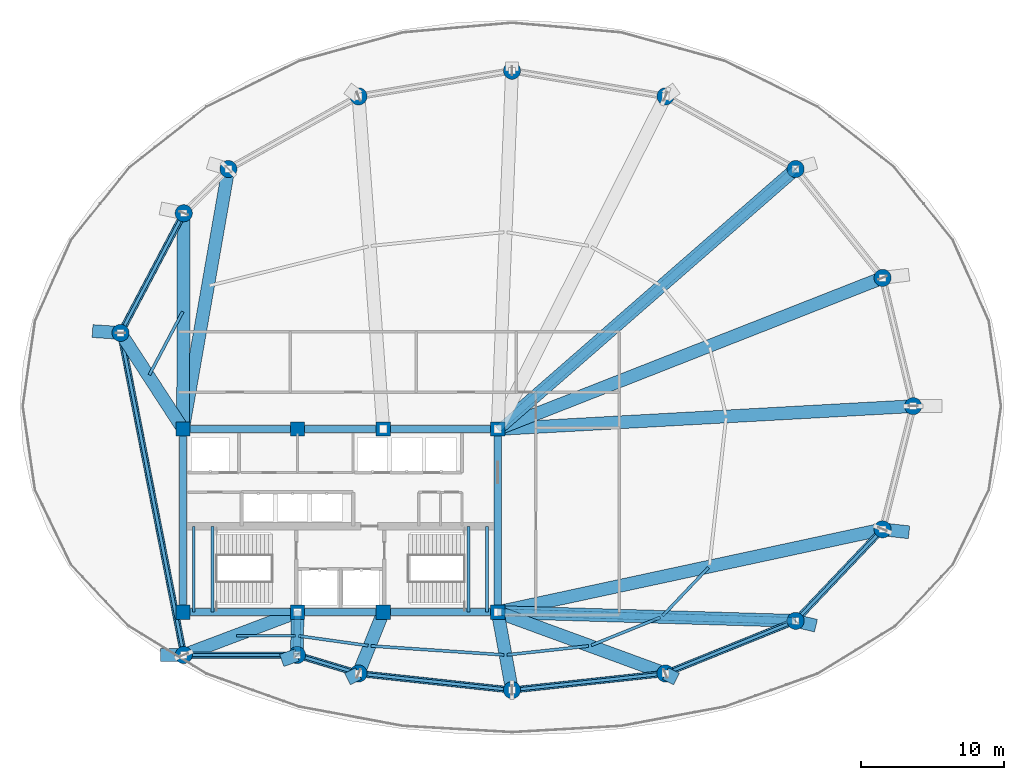
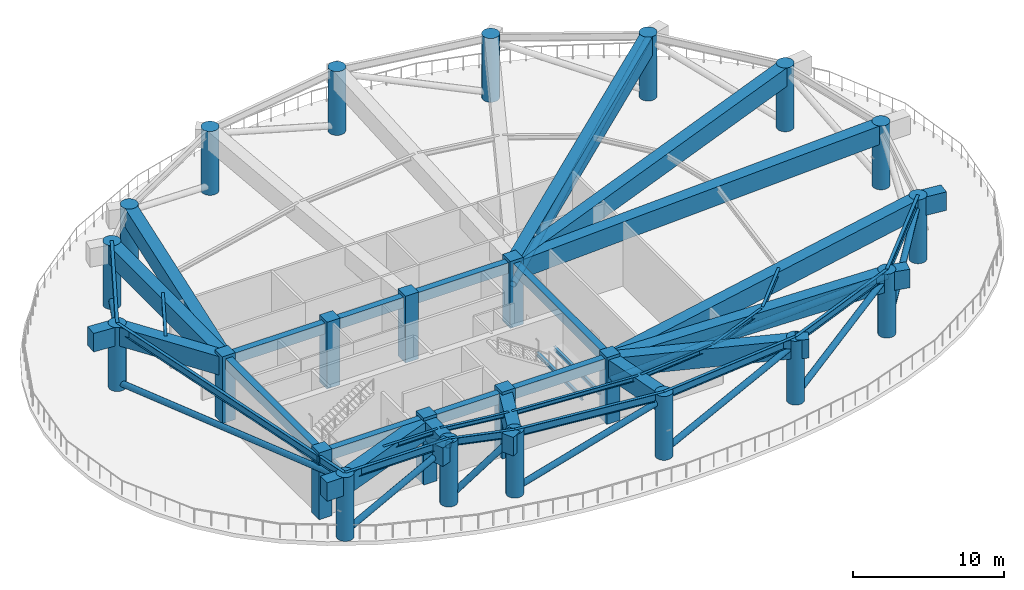
# One storey, part 1 of 9: 47 beams, 24 columns, 11 members.
"""IFC4 building model written with IfcOpenShell, lengths in metres."""

from ifc_helpers import new_model, si_unit, direction, frame, origin, origin_2d, place, context, subcontext, project, spatial, rectangle, circle, hollow_circle, i_section, extrude, material, material_profile, profile_set, type_object, element, save


model = new_model("IFC4")

# Units and contexts
model_context = context("Model", 3, precision=1e-05, world=origin(), true_north=direction((0.0, 1.0)))
body_context = subcontext(model_context, "Body", "Model", "MODEL_VIEW")
ifc_project = project(units=[si_unit("LENGTHUNIT", "METRE"), si_unit("AREAUNIT", "SQUARE_METRE"), si_unit("VOLUMEUNIT", "CUBIC_METRE"), si_unit("PLANEANGLEUNIT", "RADIAN"), si_unit("MASSUNIT", "GRAM", prefix="KILO")], contexts=[model_context])

# Site, building, storey
site_placement = place(None, origin())
site = spatial("IfcSite", under=ifc_project, at=site_placement, CompositionType="ELEMENT")
building_placement = place(site_placement, origin())
building = spatial("IfcBuilding", under=site, at=building_placement, Name="Kazevale Care Tower and Concert Hall", CompositionType="ELEMENT")
storey_placement = place(building_placement, frame((0.0, 0.0, 181.800048828125)))
storey = spatial("IfcBuildingStorey", under=building, at=storey_placement, Name="L48", CompositionType="ELEMENT", Elevation=181.800048828125)

# Columns
ifc_material_1 = material(Name="Concrete C60", Category="concrete")
ifc_material_profile_1 = material_profile(ifc_material_1, rectangle(XDim=1.0, YDim=1.0, at=origin_2d()), Name="RC-SQ1000")
ifc_profile_set_1 = profile_set([ifc_material_profile_1], Name="Concrete C60")
column_type_1 = type_object("IfcColumnType", Name="Core Column SQ1000 C60", PredefinedType="COLUMN", material=ifc_profile_set_1)
for number, where, z_axis, x_axis, name in (
    (1, (22.0, 23.60009765625, 0.0), (0.0, 0.0, 1.0), (1.0, 0.0, 0.0), "col:L48:CC-01"),
    (2, (30.0, 23.60009765625, 0.0), (0.0, 0.0, 1.0), (1.0, 0.0, 0.0), "col:L48:CC-02"),
    (3, (36.0, 23.60009765625, 0.0), (0.0, 0.0, 1.0), (1.0, 0.0, 0.0), "col:L48:CC-03"),
    (4, (44.0, 23.60009765625, 0.0), (0.0, 0.0, 1.0), (1.0, 0.0, 0.0), "col:L48:CC-04"),
    (5, (44.0, 36.39990234375, 0.0), (0.0, 0.0, 1.0), (1.0, 0.0, 0.0), "col:L48:CC-05"),
    (6, (36.0, 36.39990234375, 0.0), (0.0, 0.0, 1.0), (1.0, 0.0, 0.0), "col:L48:CC-06"),
    (7, (30.0, 36.39990234375, 0.0), (0.0, 0.0, 1.0), (1.0, 0.0, 0.0), "col:L48:CC-07"),
    (8, (22.0, 36.39990234375, 0.0), (0.0, 0.0, 1.0), (1.0, 0.0, 0.0), "col:L48:CC-08"),
):
    element("IfcColumn", number, at=place(storey_placement, frame(where, z_axis=z_axis, x_axis=x_axis)), inside=storey, type_object=column_type_1, Name=name, PredefinedType="COLUMN", context=body_context, shape_type="SweptSolid", body=[
        extrude(rectangle(XDim=1.0, YDim=1.0, at=origin_2d()), origin(), (0.0, 0.0, 1.0), 5.39990234375),
    ])
ifc_material_profile_2 = material_profile(ifc_material_1, circle(Radius=0.60009765625, at=origin_2d()), Name="RC-CIR1200")
ifc_profile_set_2 = profile_set([ifc_material_profile_2], Name="Concrete C60")
column_type_2 = type_object("IfcColumnType", Name="Perimeter Column CIR1200 C60", PredefinedType="COLUMN", material=ifc_profile_set_2)
for number, where, z_axis, x_axis, name in (
    (9, (73.050048828125, 38.0, 0.0), (0.0, 0.0, 1.0), (1.0, 0.0, 0.0), "col:L48:PC-01"),
    (10, (70.909912109375, 46.969970703125, 0.0), (0.0, 0.0, 1.0), (1.0, 0.0, 0.0), "col:L48:PC-02"),
    (11, (64.830078125, 54.580078125, 0.0), (0.0, 0.0, 1.0), (1.0, 0.0, 0.0), "col:L48:PC-03"),
    (12, (55.72998046875, 59.659912109375, 0.0), (0.0, 0.0, 1.0), (1.0, 0.0, 0.0), "col:L48:PC-04"),
    (13, (45.0, 61.449951171875, 0.0), (0.0, 0.0, 1.0), (1.0, 0.0, 0.0), "col:L48:PC-05"),
    (14, (34.27001953125, 59.659912109375, 0.0), (0.0, 0.0, 1.0), (1.0, 0.0, 0.0), "col:L48:PC-06"),
    (15, (25.169921875, 54.580078125, 0.0), (0.0, 0.0, 1.0), (1.0, 0.0, 0.0), "col:L48:PC-07"),
    (16, (22.050048828125, 51.489990234375, 0.0), (0.0, 0.0, 1.0), (1.0, 0.0, 0.0), "col:L48:PC-08"),
    (17, (17.6298828125, 43.1201171875, 0.0), (0.0, 0.0, 1.0), (1.0, 0.0, 0.0), "col:L48:PC-09"),
    (18, (22.050048828125, 20.60009765625, 0.0), (0.0, 0.0, 1.0), (1.0, 0.0, 0.0), "col:L48:PC-10"),
    (19, (29.969970703125, 20.60009765625, 0.0), (0.0, 0.0, 1.0), (1.0, 0.0, 0.0), "col:L48:PC-11"),
    (20, (34.27001953125, 19.31005859375, 0.0), (0.0, 0.0, 1.0), (1.0, 0.0, 0.0), "col:L48:PC-12"),
    (21, (45.0, 18.14990234375, 0.0), (0.0, 0.0, 1.0), (1.0, 0.0, 0.0), "col:L48:PC-13"),
    (22, (55.72998046875, 19.31005859375, 0.0), (0.0, 0.0, 1.0), (1.0, 0.0, 0.0), "col:L48:PC-14"),
    (23, (64.830078125, 22.989990234375, 0.0), (0.0, 0.0, 1.0), (1.0, 0.0, 0.0), "col:L48:PC-15"),
    (24, (70.909912109375, 29.389892578125, 0.0), (0.0, 0.0, 1.0), (1.0, 0.0, 0.0), "col:L48:PC-16"),
):
    element("IfcColumn", number, at=place(storey_placement, frame(where, z_axis=z_axis, x_axis=x_axis)), inside=storey, type_object=column_type_2, Name=name, PredefinedType="COLUMN", context=body_context, shape_type="SweptSolid", body=[
        extrude(circle(Radius=0.60009765625, at=origin_2d()), origin(), (0.0, 0.0, 1.0), 5.159912109375),
    ])

# Members
ifc_material_2 = material(Name="Steel ASTM A572 Gr 50", Category="steel")
ifc_material_profile_3 = material_profile(ifc_material_2, hollow_circle(Radius=0.228515625, WallThickness=0.028076171875, at=origin_2d()), Name="CHS457x28")
ifc_profile_set_3 = profile_set([ifc_material_profile_3], Name="Steel ASTM A572 Gr 50")
member_type_1 = type_object("IfcMemberType", Name="Belt Truss Diagonal CHS457x28", PredefinedType="BRACE", material=ifc_profile_set_3)
member_1_placement = place(storey_placement, frame((22.050048828125, 51.489990234375, 0.39990234375), z_axis=(-0.426683163195, -0.807952437658, 0.406391851208), x_axis=(0.884265533959, -0.466984438127, 0.0)))
element("IfcMember", 25, at=member_1_placement, inside=storey, type_object=member_type_1, Name="brace:L48:belt:08", PredefinedType="BRACE", context=body_context, shape_type="SweptSolid", body=[
    extrude(hollow_circle(Radius=0.228515625, WallThickness=0.028076171875, at=origin_2d()), origin(), (0.0, 0.0, 1.0), 10.359375),
])
member_2_placement = place(storey_placement, frame((17.6298828125, 43.1201171875, 0.39990234375), z_axis=(0.189441171259, -0.965171638733, 0.180432121358), x_axis=(0.9812769061, 0.192602267784, 0.0)))
element("IfcMember", 26, at=member_2_placement, inside=storey, type_object=member_type_1, Name="brace:L48:belt:09", PredefinedType="BRACE", context=body_context, shape_type="SweptSolid", body=[
    extrude(hollow_circle(Radius=0.228515625, WallThickness=0.028076171875, at=origin_2d()), origin(), (0.0, 0.0, 1.0), 23.332763671875),
])
member_3_placement = place(storey_placement, frame((22.050048828125, 20.60009765625, 0.39990234375), z_axis=(0.883000097945, 0.0, 0.469372801756), x_axis=(0.0, 1.0, 0.0)))
element("IfcMember", 27, at=member_3_placement, inside=storey, type_object=member_type_1, Name="brace:L48:belt:10", PredefinedType="BRACE", context=body_context, shape_type="SweptSolid", body=[
    extrude(hollow_circle(Radius=0.228515625, WallThickness=0.028076171875, at=origin_2d()), origin(), (0.0, 0.0, 1.0), 8.96923828125),
])
member_4_placement = place(storey_placement, frame((29.969970703125, 20.60009765625, 0.39990234375), z_axis=(0.698678889279, -0.20960763362, 0.684041263086), x_axis=(0.287352874709, 0.957824788464, 0.0)))
element("IfcMember", 28, at=member_4_placement, inside=storey, type_object=member_type_1, Name="brace:L48:belt:11", PredefinedType="BRACE", context=body_context, shape_type="SweptSolid", body=[
    extrude(hollow_circle(Radius=0.228515625, WallThickness=0.028076171875, at=origin_2d()), origin(), (0.0, 0.0, 1.0), 6.154541015625),
])
for number, where, z_axis, x_axis, name in (
    (29, (34.27001953125, 19.31005859375, 0.39990234375), (0.926230526629, -0.100146699944, 0.363411130858), (0.107496346724, 0.994205479487, 0.0), "brace:L48:belt:12"),
    (30, (45.0, 18.14990234375, 0.39990234375), (0.926230526629, 0.100146699944, 0.363411130858), (-0.107496346724, 0.994205479487, 0.0), "brace:L48:belt:13"),
):
    element("IfcMember", number, at=place(storey_placement, frame(where, z_axis=z_axis, x_axis=x_axis)), inside=storey, type_object=member_type_1, Name=name, PredefinedType="BRACE", context=body_context, shape_type="SweptSolid", body=[
        extrude(hollow_circle(Radius=0.228515625, WallThickness=0.028076171875, at=origin_2d()), origin(), (0.0, 0.0, 1.0), 11.58447265625),
    ])
member_5_placement = place(storey_placement, frame((55.72998046875, 19.31005859375, 0.39990234375), z_axis=(0.852012878682, 0.344540165273, 0.394165103826), x_axis=(-0.374891515041, 0.927068687828, 0.0)))
element("IfcMember", 31, at=member_5_placement, inside=storey, type_object=member_type_1, Name="brace:L48:belt:14", PredefinedType="BRACE", context=body_context, shape_type="SweptSolid", body=[
    extrude(hollow_circle(Radius=0.228515625, WallThickness=0.028076171875, at=origin_2d()), origin(), (0.0, 0.0, 1.0), 10.6806640625),
])
member_6_placement = place(storey_placement, frame((64.830078125, 22.989990234375, 0.39990234375), z_axis=(0.621664783489, 0.654391865815, 0.430469723587), x_axis=(-0.725003576697, 0.688745100728, 0.0)))
element("IfcMember", 32, at=member_6_placement, inside=storey, type_object=member_type_1, Name="brace:L48:belt:15", PredefinedType="BRACE", context=body_context, shape_type="SweptSolid", body=[
    extrude(hollow_circle(Radius=0.228515625, WallThickness=0.028076171875, at=origin_2d()), origin(), (0.0, 0.0, 1.0), 9.780029296875),
])

# Beams
ifc_material_profile_4 = material_profile(ifc_material_1, rectangle(XDim=0.5, YDim=0.85009765625, at=origin_2d()), Name="RC-B500x850")
ifc_profile_set_4 = profile_set([ifc_material_profile_4], Name="Concrete C60")
beam_type_1 = type_object("IfcBeamType", Name="Core Coupling Beam RC500x850", PredefinedType="LINTEL", material=ifc_profile_set_4)
beam_1_placement = place(storey_placement, frame((22.0, 23.60009765625, 4.73486328125), z_axis=(1.0, 0.0, 0.0), x_axis=(0.0, 1.0, 0.0)))
element("IfcBeam", 33, at=beam_1_placement, inside=storey, type_object=beam_type_1, Name="beam:L48:coretie:1", PredefinedType="LINTEL", context=body_context, shape_type="SweptSolid", body=[
    extrude(rectangle(XDim=0.5, YDim=0.85009765625, at=origin_2d()), origin(), (0.0, 0.0, 1.0), 8.0),
])
beam_2_placement = place(storey_placement, frame((30.0, 23.60009765625, 4.73486328125), z_axis=(1.0, 0.0, 0.0), x_axis=(0.0, 1.0, 0.0)))
element("IfcBeam", 34, at=beam_2_placement, inside=storey, type_object=beam_type_1, Name="beam:L48:coretie:2", PredefinedType="LINTEL", context=body_context, shape_type="SweptSolid", body=[
    extrude(rectangle(XDim=0.5, YDim=0.85009765625, at=origin_2d()), origin(), (0.0, 0.0, 1.0), 6.0),
])
beam_3_placement = place(storey_placement, frame((36.0, 23.60009765625, 4.73486328125), z_axis=(1.0, 0.0, 0.0), x_axis=(0.0, 1.0, 0.0)))
element("IfcBeam", 35, at=beam_3_placement, inside=storey, type_object=beam_type_1, Name="beam:L48:coretie:3", PredefinedType="LINTEL", context=body_context, shape_type="SweptSolid", body=[
    extrude(rectangle(XDim=0.5, YDim=0.85009765625, at=origin_2d()), origin(), (0.0, 0.0, 1.0), 8.0),
])
beam_4_placement = place(storey_placement, frame((44.0, 23.60009765625, 4.73486328125), z_axis=(0.0, 1.0, 0.0), x_axis=(-1.0, 0.0, 0.0)))
element("IfcBeam", 36, at=beam_4_placement, inside=storey, type_object=beam_type_1, Name="beam:L48:coretie:4", PredefinedType="LINTEL", context=body_context, shape_type="SweptSolid", body=[
    extrude(rectangle(XDim=0.5, YDim=0.85009765625, at=origin_2d()), origin(), (0.0, 0.0, 1.0), 12.7998046875),
])
beam_5_placement = place(storey_placement, frame((44.0, 36.39990234375, 4.73486328125), z_axis=(-1.0, 0.0, 0.0), x_axis=(0.0, -1.0, 0.0)))
element("IfcBeam", 37, at=beam_5_placement, inside=storey, type_object=beam_type_1, Name="beam:L48:coretie:5", PredefinedType="LINTEL", context=body_context, shape_type="SweptSolid", body=[
    extrude(rectangle(XDim=0.5, YDim=0.85009765625, at=origin_2d()), origin(), (0.0, 0.0, 1.0), 8.0),
])
beam_6_placement = place(storey_placement, frame((36.0, 36.39990234375, 4.73486328125), z_axis=(-1.0, 0.0, 0.0), x_axis=(0.0, -1.0, 0.0)))
element("IfcBeam", 38, at=beam_6_placement, inside=storey, type_object=beam_type_1, Name="beam:L48:coretie:6", PredefinedType="LINTEL", context=body_context, shape_type="SweptSolid", body=[
    extrude(rectangle(XDim=0.5, YDim=0.85009765625, at=origin_2d()), origin(), (0.0, 0.0, 1.0), 6.0),
])
beam_7_placement = place(storey_placement, frame((30.0, 36.39990234375, 4.73486328125), z_axis=(-1.0, 0.0, 0.0), x_axis=(0.0, -1.0, 0.0)))
element("IfcBeam", 39, at=beam_7_placement, inside=storey, type_object=beam_type_1, Name="beam:L48:coretie:7", PredefinedType="LINTEL", context=body_context, shape_type="SweptSolid", body=[
    extrude(rectangle(XDim=0.5, YDim=0.85009765625, at=origin_2d()), origin(), (0.0, 0.0, 1.0), 8.0),
])
beam_8_placement = place(storey_placement, frame((22.0, 36.39990234375, 4.73486328125), z_axis=(0.0, -1.0, 0.0), x_axis=(1.0, 0.0, 0.0)))
element("IfcBeam", 40, at=beam_8_placement, inside=storey, type_object=beam_type_1, Name="beam:L48:coretie:8", PredefinedType="LINTEL", context=body_context, shape_type="SweptSolid", body=[
    extrude(rectangle(XDim=0.5, YDim=0.85009765625, at=origin_2d()), origin(), (0.0, 0.0, 1.0), 12.7998046875),
])

# Members
ifc_material_profile_5 = material_profile(ifc_material_2, hollow_circle(Radius=0.25390625, WallThickness=0.031982421875, at=origin_2d()), Name="CHS508x32")
ifc_profile_set_5 = profile_set([ifc_material_profile_5], Name="Steel ASTM A572 Gr 50")
member_type_2 = type_object("IfcMemberType", Name="Outrigger Diagonal CHS508x32", PredefinedType="BRACE", material=ifc_profile_set_5)
member_7_placement = place(storey_placement, frame((44.0, 36.39990234375, 3.099853515625), z_axis=(0.752282042081, 0.656580339259, 0.054534276023), x_axis=(-0.657558853149, 0.753403181998, 0.0)))
element("IfcMember", 41, at=member_7_placement, inside=storey, type_object=member_type_2, Name="brace:L48:outrig:1", PredefinedType="BRACE", context=body_context, shape_type="SweptSolid", body=[
    extrude(hollow_circle(Radius=0.25390625, WallThickness=0.031982421875, at=origin_2d()), origin(), (0.0, 0.0, 1.0), 27.689208984375),
])
member_8_placement = place(storey_placement, frame((30.0, 23.60009765625, 3.099853515625), z_axis=(-0.008940684348, -0.893196172879, 0.449578314555), x_axis=(0.99994990606, -0.010009264196, 0.0)))
element("IfcMember", 42, at=member_8_placement, inside=storey, type_object=member_type_2, Name="brace:L48:outrig:3", PredefinedType="BRACE", context=body_context, shape_type="SweptSolid", body=[
    extrude(hollow_circle(Radius=0.25390625, WallThickness=0.031982421875, at=origin_2d()), origin(), (0.0, 0.0, 1.0), 3.358642578125),
])
member_9_placement = place(storey_placement, frame((44.0, 23.60009765625, 3.099853515625), z_axis=(0.996957467612, -0.02920061781, 0.072271236957), x_axis=(0.029277177187, 0.99957133157, 0.0)))
element("IfcMember", 43, at=member_9_placement, inside=storey, type_object=member_type_2, Name="brace:L48:outrig:4", PredefinedType="BRACE", context=body_context, shape_type="SweptSolid", body=[
    extrude(hollow_circle(Radius=0.25390625, WallThickness=0.031982421875, at=origin_2d()), origin(), (0.0, 0.0, 1.0), 20.8935546875),
])

# Beams
ifc_material_profile_6 = material_profile(ifc_material_1, rectangle(XDim=0.89990234375, YDim=1.5, at=origin_2d()), Name="RC-TG900x1500")
ifc_profile_set_6 = profile_set([ifc_material_profile_6], Name="Concrete C60")
beam_type_2 = type_object("IfcBeamType", Name="Podium Transfer Girder RC900x1500", PredefinedType="BEAM", material=ifc_profile_set_6)
beam_9_placement = place(storey_placement, frame((44.0, 36.39990234375, 4.409912109375), z_axis=(0.998486500016, 0.054997357076, 0.0), x_axis=(-0.054997357076, 0.998486500016, 0.0)))
element("IfcBeam", 44, at=beam_9_placement, inside=storey, type_object=beam_type_2, Name="beam:L48:ztg_in:01", PredefinedType="BEAM", context=body_context, shape_type="SweptSolid", body=[
    extrude(rectangle(XDim=0.89990234375, YDim=1.5, at=origin_2d()), origin(), (0.0, 0.0, 1.0), 29.093994140625),
])
beam_10_placement = place(storey_placement, frame((44.0, 36.39990234375, 4.409912109375), z_axis=(0.930771301513, 0.36560194786, 0.0), x_axis=(-0.36560194786, 0.930771301513, 0.0)))
element("IfcBeam", 45, at=beam_10_placement, inside=storey, type_object=beam_type_2, Name="beam:L48:ztg_in:02", PredefinedType="BEAM", context=body_context, shape_type="SweptSolid", body=[
    extrude(rectangle(XDim=0.89990234375, YDim=1.5, at=origin_2d()), origin(), (0.0, 0.0, 1.0), 28.911376953125),
])
beam_11_placement = place(storey_placement, frame((44.0, 36.39990234375, 4.409912109375), z_axis=(0.753403181998, 0.657558853149, 0.0), x_axis=(-0.657558853149, 0.753403181998, 0.0)))
element("IfcBeam", 46, at=beam_11_placement, inside=storey, type_object=beam_type_2, Name="beam:L48:ztg_in:03", PredefinedType="BEAM", context=body_context, shape_type="SweptSolid", body=[
    extrude(rectangle(XDim=0.89990234375, YDim=1.5, at=origin_2d()), origin(), (0.0, 0.0, 1.0), 27.64794921875),
])
beam_12_placement = place(storey_placement, frame((22.0, 36.39990234375, 4.409912109375), z_axis=(0.171769935245, 0.985137091651, 0.0), x_axis=(-0.985137091651, 0.171769935245, 0.0)))
element("IfcBeam", 47, at=beam_12_placement, inside=storey, type_object=beam_type_2, Name="beam:L48:ztg_in:07", PredefinedType="BEAM", context=body_context, shape_type="SweptSolid", body=[
    extrude(rectangle(XDim=0.89990234375, YDim=1.5, at=origin_2d()), origin(), (0.0, 0.0, 1.0), 18.454345703125),
])
beam_13_placement = place(storey_placement, frame((22.0, 36.39990234375, 4.409912109375), z_axis=(0.003316650851, 0.999994499898, 0.0), x_axis=(-0.999994499898, 0.003316650851, 0.0)))
element("IfcBeam", 48, at=beam_13_placement, inside=storey, type_object=beam_type_2, Name="beam:L48:ztg_in:08", PredefinedType="BEAM", context=body_context, shape_type="SweptSolid", body=[
    extrude(rectangle(XDim=0.89990234375, YDim=1.5, at=origin_2d()), origin(), (0.0, 0.0, 1.0), 15.090087890625),
])
beam_14_placement = place(storey_placement, frame((22.0, 36.39990234375, 4.409912109375), z_axis=(-0.5451617613, 0.83833087383, 0.0), x_axis=(-0.83833087383, -0.5451617613, 0.0)))
element("IfcBeam", 49, at=beam_14_placement, inside=storey, type_object=beam_type_2, Name="beam:L48:ztg_in:09", PredefinedType="BEAM", context=body_context, shape_type="SweptSolid", body=[
    extrude(rectangle(XDim=0.89990234375, YDim=1.5, at=origin_2d()), origin(), (0.0, 0.0, 1.0), 8.01611328125),
])
beam_15_placement = place(storey_placement, frame((17.6298828125, 43.1201171875, 4.409912109375), z_axis=(-0.997811477462, 0.066123032637, 0.0), x_axis=(-0.066123032637, -0.997811477462, 0.0)))
element("IfcBeam", 50, at=beam_15_placement, inside=storey, type_object=beam_type_2, Name="beam:L48:ztg_out:09", PredefinedType="BEAM", context=body_context, shape_type="SweptSolid", body=[
    extrude(rectangle(XDim=0.89990234375, YDim=1.5, at=origin_2d()), origin(), (0.0, 0.0, 1.0), 1.96435546875),
])
beam_16_placement = place(storey_placement, frame((30.0, 23.60009765625, 4.409912109375), z_axis=(-0.935601002663, -0.353059150592, 0.0), x_axis=(0.353059150592, -0.935601002663, 0.0)))
element("IfcBeam", 51, at=beam_16_placement, inside=storey, type_object=beam_type_2, Name="beam:L48:ztg_in:10", PredefinedType="BEAM", context=body_context, shape_type="SweptSolid", body=[
    extrude(rectangle(XDim=0.89990234375, YDim=1.5, at=origin_2d()), origin(), (0.0, 0.0, 1.0), 8.4970703125),
])
beam_17_placement = place(storey_placement, frame((22.050048828125, 20.60009765625, 4.409912109375), z_axis=(-1.0, 0.0, 0.0), x_axis=(0.0, -1.0, 0.0)))
element("IfcBeam", 52, at=beam_17_placement, inside=storey, type_object=beam_type_2, Name="beam:L48:ztg_out:10", PredefinedType="BEAM", context=body_context, shape_type="SweptSolid", body=[
    extrude(rectangle(XDim=0.89990234375, YDim=1.5, at=origin_2d()), origin(), (0.0, 0.0, 1.0), 1.630126953125),
])
beam_18_placement = place(storey_placement, frame((30.0, 23.60009765625, 4.409912109375), z_axis=(-0.010009264196, -0.99994990606, 0.0), x_axis=(0.99994990606, -0.010009264196, 0.0)))
element("IfcBeam", 53, at=beam_18_placement, inside=storey, type_object=beam_type_2, Name="beam:L48:ztg_in:11", PredefinedType="BEAM", context=body_context, shape_type="SweptSolid", body=[
    extrude(rectangle(XDim=0.89990234375, YDim=1.5, at=origin_2d()), origin(), (0.0, 0.0, 1.0), 3.000244140625),
])
beam_19_placement = place(storey_placement, frame((29.969970703125, 20.60009765625, 4.409912109375), z_axis=(-0.942309659787, -0.334742445879, 0.0), x_axis=(0.334742445879, -0.942309659787, 0.0)))
element("IfcBeam", 54, at=beam_19_placement, inside=storey, type_object=beam_type_2, Name="beam:L48:ztg_out:11", PredefinedType="BEAM", context=body_context, shape_type="SweptSolid", body=[
    extrude(rectangle(XDim=0.89990234375, YDim=1.5, at=origin_2d()), origin(), (0.0, 0.0, 1.0), 1.135498046875),
])
beam_20_placement = place(storey_placement, frame((36.0, 23.60009765625, 4.409912109375), z_axis=(-0.373991766452, -0.927432023722, 0.0), x_axis=(0.927432023722, -0.373991766452, 0.0)))
element("IfcBeam", 55, at=beam_20_placement, inside=storey, type_object=beam_type_2, Name="beam:L48:ztg_in:12", PredefinedType="BEAM", context=body_context, shape_type="SweptSolid", body=[
    extrude(rectangle(XDim=0.89990234375, YDim=1.5, at=origin_2d()), origin(), (0.0, 0.0, 1.0), 4.625732421875),
])
beam_21_placement = place(storey_placement, frame((34.27001953125, 19.31005859375, 4.409912109375), z_axis=(-0.892038816739, -0.45195879174, 0.0), x_axis=(0.45195879174, -0.892038816739, 0.0)))
element("IfcBeam", 56, at=beam_21_placement, inside=storey, type_object=beam_type_2, Name="beam:L48:ztg_out:12", PredefinedType="BEAM", context=body_context, shape_type="SweptSolid", body=[
    extrude(rectangle(XDim=0.89990234375, YDim=1.5, at=origin_2d()), origin(), (0.0, 0.0, 1.0), 0.86328125),
])
beam_22_placement = place(storey_placement, frame((44.0, 23.60009765625, 4.409912109375), z_axis=(0.180467114023, -0.983581018908, 0.0), x_axis=(0.983581018908, 0.180467114023, 0.0)))
element("IfcBeam", 57, at=beam_22_placement, inside=storey, type_object=beam_type_2, Name="beam:L48:ztg_in:13", PredefinedType="BEAM", context=body_context, shape_type="SweptSolid", body=[
    extrude(rectangle(XDim=0.89990234375, YDim=1.5, at=origin_2d()), origin(), (0.0, 0.0, 1.0), 5.541259765625),
])
beam_23_placement = place(storey_placement, frame((44.0, 23.60009765625, 4.409912109375), z_axis=(0.939159459123, -0.343481455599, 0.0), x_axis=(0.343481455599, 0.939159459123, 0.0)))
element("IfcBeam", 58, at=beam_23_placement, inside=storey, type_object=beam_type_2, Name="beam:L48:ztg_in:14", PredefinedType="BEAM", context=body_context, shape_type="SweptSolid", body=[
    extrude(rectangle(XDim=0.89990234375, YDim=1.5, at=origin_2d()), origin(), (0.0, 0.0, 1.0), 12.489990234375),
])
beam_24_placement = place(storey_placement, frame((55.72998046875, 19.31005859375, 4.409912109375), z_axis=(0.892038816739, -0.45195879174, 0.0), x_axis=(0.45195879174, 0.892038816739, 0.0)))
element("IfcBeam", 59, at=beam_24_placement, inside=storey, type_object=beam_type_2, Name="beam:L48:ztg_out:14", PredefinedType="BEAM", context=body_context, shape_type="SweptSolid", body=[
    extrude(rectangle(XDim=0.89990234375, YDim=1.5, at=origin_2d()), origin(), (0.0, 0.0, 1.0), 0.86328125),
])
beam_25_placement = place(storey_placement, frame((44.0, 23.60009765625, 4.409912109375), z_axis=(0.99957133157, -0.029277177187, 0.0), x_axis=(0.029277177187, 0.99957133157, 0.0)))
element("IfcBeam", 60, at=beam_25_placement, inside=storey, type_object=beam_type_2, Name="beam:L48:ztg_in:15", PredefinedType="BEAM", context=body_context, shape_type="SweptSolid", body=[
    extrude(rectangle(XDim=0.89990234375, YDim=1.5, at=origin_2d()), origin(), (0.0, 0.0, 1.0), 20.839111328125),
])
beam_26_placement = place(storey_placement, frame((64.830078125, 22.989990234375, 4.409912109375), z_axis=(0.972494961666, -0.232923913618, 0.0), x_axis=(0.232923913618, 0.972494961666, 0.0)))
element("IfcBeam", 61, at=beam_26_placement, inside=storey, type_object=beam_type_2, Name="beam:L48:ztg_out:15", PredefinedType="BEAM", context=body_context, shape_type="SweptSolid", body=[
    extrude(rectangle(XDim=0.89990234375, YDim=1.5, at=origin_2d()), origin(), (0.0, 0.0, 1.0), 1.4599609375),
])
beam_27_placement = place(storey_placement, frame((44.0, 23.60009765625, 4.409912109375), z_axis=(0.97762801725, 0.210341293823, 0.0), x_axis=(-0.210341293823, 0.97762801725, 0.0)))
element("IfcBeam", 62, at=beam_27_placement, inside=storey, type_object=beam_type_2, Name="beam:L48:ztg_in:16", PredefinedType="BEAM", context=body_context, shape_type="SweptSolid", body=[
    extrude(rectangle(XDim=0.89990234375, YDim=1.5, at=origin_2d()), origin(), (0.0, 0.0, 1.0), 27.525634765625),
])
beam_28_placement = place(storey_placement, frame((70.909912109375, 29.389892578125, 4.409912109375), z_axis=(0.993621959771, -0.112762587147, 0.0), x_axis=(0.112762587147, 0.993621959771, 0.0)))
element("IfcBeam", 63, at=beam_28_placement, inside=storey, type_object=beam_type_2, Name="beam:L48:ztg_out:16", PredefinedType="BEAM", context=body_context, shape_type="SweptSolid", body=[
    extrude(rectangle(XDim=0.89990234375, YDim=1.5, at=origin_2d()), origin(), (0.0, 0.0, 1.0), 1.862060546875),
])
ifc_material_profile_7 = material_profile(ifc_material_2, i_section(OverallWidth=0.22900390625, OverallDepth=0.612060546875, WebThickness=0.011962890625, FlangeThickness=0.01953125, at=origin_2d()), Name="W610x125")
ifc_profile_set_7 = profile_set([ifc_material_profile_7], Name="Steel ASTM A572 Gr 50")
beam_type_3 = type_object("IfcBeamType", Name="Ring Spandrel Beam W610x125", PredefinedType="SPANDREL", material=ifc_profile_set_7)
beam_29_placement = place(storey_placement, frame((22.050048828125, 51.489990234375, 4.85400390625), z_axis=(-0.466984438127, -0.884265533959, 0.0), x_axis=(0.884265533959, -0.466984438127, 0.0)))
element("IfcBeam", 64, at=beam_29_placement, inside=storey, type_object=beam_type_3, Name="beam:L48:ring:08", PredefinedType="SPANDREL", context=body_context, shape_type="SweptSolid", body=[
    extrude(i_section(OverallWidth=0.22900390625, OverallDepth=0.612060546875, WebThickness=0.011962890625, FlangeThickness=0.01953125, at=origin_2d()), origin(), (0.0, 0.0, 1.0), 9.46533203125),
])
beam_30_placement = place(storey_placement, frame((17.6298828125, 43.1201171875, 4.85400390625), z_axis=(0.192602267784, -0.9812769061, 0.0), x_axis=(0.9812769061, 0.192602267784, 0.0)))
element("IfcBeam", 65, at=beam_30_placement, inside=storey, type_object=beam_type_3, Name="beam:L48:ring:09", PredefinedType="SPANDREL", context=body_context, shape_type="SweptSolid", body=[
    extrude(i_section(OverallWidth=0.22900390625, OverallDepth=0.612060546875, WebThickness=0.011962890625, FlangeThickness=0.01953125, at=origin_2d()), origin(), (0.0, 0.0, 1.0), 22.94970703125),
])
beam_31_placement = place(storey_placement, frame((22.050048828125, 20.60009765625, 4.85400390625), z_axis=(1.0, 0.0, 0.0), x_axis=(0.0, 1.0, 0.0)))
element("IfcBeam", 66, at=beam_31_placement, inside=storey, type_object=beam_type_3, Name="beam:L48:ring:10", PredefinedType="SPANDREL", context=body_context, shape_type="SweptSolid", body=[
    extrude(i_section(OverallWidth=0.22900390625, OverallDepth=0.612060546875, WebThickness=0.011962890625, FlangeThickness=0.01953125, at=origin_2d()), origin(), (0.0, 0.0, 1.0), 7.919921875),
])
beam_32_placement = place(storey_placement, frame((29.969970703125, 20.60009765625, 4.85400390625), z_axis=(0.957824788464, -0.287352874709, 0.0), x_axis=(0.287352874709, 0.957824788464, 0.0)))
element("IfcBeam", 67, at=beam_32_placement, inside=storey, type_object=beam_type_3, Name="beam:L48:ring:11", PredefinedType="SPANDREL", context=body_context, shape_type="SweptSolid", body=[
    extrude(i_section(OverallWidth=0.22900390625, OverallDepth=0.612060546875, WebThickness=0.011962890625, FlangeThickness=0.01953125, at=origin_2d()), origin(), (0.0, 0.0, 1.0), 4.489501953125),
])
for number, where, z_axis, x_axis, name in (
    (68, (34.27001953125, 19.31005859375, 4.85400390625), (0.994205479487, -0.107496346724, 0.0), (0.107496346724, 0.994205479487, 0.0), "beam:L48:ring:12"),
    (69, (45.0, 18.14990234375, 4.85400390625), (0.994205479487, 0.107496346724, 0.0), (-0.107496346724, 0.994205479487, 0.0), "beam:L48:ring:13"),
):
    element("IfcBeam", number, at=place(storey_placement, frame(where, z_axis=z_axis, x_axis=x_axis)), inside=storey, type_object=beam_type_3, Name=name, PredefinedType="SPANDREL", context=body_context, shape_type="SweptSolid", body=[
        extrude(i_section(OverallWidth=0.22900390625, OverallDepth=0.612060546875, WebThickness=0.011962890625, FlangeThickness=0.01953125, at=origin_2d()), origin(), (0.0, 0.0, 1.0), 10.79248046875),
    ])
beam_33_placement = place(storey_placement, frame((55.72998046875, 19.31005859375, 4.85400390625), z_axis=(0.927068687828, 0.374891515041, 0.0), x_axis=(-0.374891515041, 0.927068687828, 0.0)))
element("IfcBeam", 70, at=beam_33_placement, inside=storey, type_object=beam_type_3, Name="beam:L48:ring:14", PredefinedType="SPANDREL", context=body_context, shape_type="SweptSolid", body=[
    extrude(i_section(OverallWidth=0.22900390625, OverallDepth=0.612060546875, WebThickness=0.011962890625, FlangeThickness=0.01953125, at=origin_2d()), origin(), (0.0, 0.0, 1.0), 9.81591796875),
])
beam_34_placement = place(storey_placement, frame((64.830078125, 22.989990234375, 4.85400390625), z_axis=(0.688745100728, 0.725003576697, 0.0), x_axis=(-0.725003576697, 0.688745100728, 0.0)))
element("IfcBeam", 71, at=beam_34_placement, inside=storey, type_object=beam_type_3, Name="beam:L48:ring:15", PredefinedType="SPANDREL", context=body_context, shape_type="SweptSolid", body=[
    extrude(i_section(OverallWidth=0.22900390625, OverallDepth=0.612060546875, WebThickness=0.011962890625, FlangeThickness=0.01953125, at=origin_2d()), origin(), (0.0, 0.0, 1.0), 8.827392578125),
])
ifc_material_profile_8 = material_profile(ifc_material_2, i_section(OverallWidth=0.205078125, OverallDepth=0.35400390625, WebThickness=0.009521484375, FlangeThickness=0.016845703125, at=origin_2d()), Name="W360x79")
ifc_profile_set_8 = profile_set([ifc_material_profile_8], Name="Steel ASTM A572 Gr 50")
beam_type_4 = type_object("IfcBeamType", Name="Secondary Floor Joist W360x79", PredefinedType="JOIST", material=ifc_profile_set_8)
beam_35_placement = place(storey_placement, frame((21.97802734375, 44.60693359375, 4.98291015625), z_axis=(-0.466809583155, -0.884357853515, 0.0), x_axis=(0.884357853515, -0.466809583155, 0.0)))
element("IfcBeam", 72, at=beam_35_placement, inside=storey, type_object=beam_type_4, Name="beam:L48:joist:08", PredefinedType="JOIST", context=body_context, shape_type="SweptSolid", body=[
    extrude(i_section(OverallWidth=0.205078125, OverallDepth=0.35400390625, WebThickness=0.009521484375, FlangeThickness=0.016845703125, at=origin_2d()), origin(), (0.0, 0.0, 1.0), 4.99560546875),
])
beam_36_placement = place(storey_placement, frame((25.73291015625, 21.949951171875, 4.98291015625), z_axis=(1.0, 0.0, 0.0), x_axis=(0.0, 1.0, 0.0)))
element("IfcBeam", 73, at=beam_36_placement, inside=storey, type_object=beam_type_4, Name="beam:L48:joist:10", PredefinedType="JOIST", context=body_context, shape_type="SweptSolid", body=[
    extrude(i_section(OverallWidth=0.205078125, OverallDepth=0.35400390625, WebThickness=0.009521484375, FlangeThickness=0.016845703125, at=origin_2d()), origin(), (0.0, 0.0, 1.0), 4.14501953125),
])
beam_37_placement = place(storey_placement, frame((30.0869140625, 21.93505859375, 4.98291015625), z_axis=(0.990340789942, -0.138654678164, 0.0), x_axis=(0.138654678164, 0.990340789942, 0.0)))
element("IfcBeam", 74, at=beam_37_placement, inside=storey, type_object=beam_type_4, Name="beam:L48:joist:11", PredefinedType="JOIST", context=body_context, shape_type="SweptSolid", body=[
    extrude(i_section(OverallWidth=0.205078125, OverallDepth=0.35400390625, WebThickness=0.009521484375, FlangeThickness=0.016845703125, at=origin_2d()), origin(), (0.0, 0.0, 1.0), 4.905517578125),
])
beam_38_placement = place(storey_placement, frame((35.153076171875, 21.23291015625, 4.98291015625), z_axis=(0.997761314569, -0.06687569925, 0.0), x_axis=(0.06687569925, 0.997761314569, 0.0)))
element("IfcBeam", 75, at=beam_38_placement, inside=storey, type_object=beam_type_4, Name="beam:L48:joist:12", PredefinedType="JOIST", context=body_context, shape_type="SweptSolid", body=[
    extrude(i_section(OverallWidth=0.205078125, OverallDepth=0.35400390625, WebThickness=0.009521484375, FlangeThickness=0.016845703125, at=origin_2d()), origin(), (0.0, 0.0, 1.0), 9.312744140625),
])
beam_39_placement = place(storey_placement, frame((44.654052734375, 20.614013671875, 4.98291015625), z_axis=(0.994215541126, 0.107403248482, 0.0), x_axis=(-0.107403248482, 0.994215541126, 0.0)))
element("IfcBeam", 76, at=beam_39_placement, inside=storey, type_object=beam_type_4, Name="beam:L48:joist:13", PredefinedType="JOIST", context=body_context, shape_type="SweptSolid", body=[
    extrude(i_section(OverallWidth=0.205078125, OverallDepth=0.35400390625, WebThickness=0.009521484375, FlangeThickness=0.016845703125, at=origin_2d()), origin(), (0.0, 0.0, 1.0), 5.72607421875),
])
beam_40_placement = place(storey_placement, frame((50.549072265625, 21.280029296875, 4.98291015625), z_axis=(0.927064833216, 0.374901046964, 0.0), x_axis=(-0.374901046964, 0.927064833216, 0.0)))
element("IfcBeam", 77, at=beam_40_placement, inside=storey, type_object=beam_type_4, Name="beam:L48:joist:14", PredefinedType="JOIST", context=body_context, shape_type="SweptSolid", body=[
    extrude(i_section(OverallWidth=0.205078125, OverallDepth=0.35400390625, WebThickness=0.009521484375, FlangeThickness=0.016845703125, at=origin_2d()), origin(), (0.0, 0.0, 1.0), 5.188232421875),
])
beam_41_placement = place(storey_placement, frame((55.529052734375, 23.341064453125, 4.98291015625), z_axis=(0.688792288395, 0.724958746032, 0.0), x_axis=(-0.724958746032, 0.688792288395, 0.0)))
element("IfcBeam", 78, at=beam_41_placement, inside=storey, type_object=beam_type_4, Name="beam:L48:joist:15", PredefinedType="JOIST", context=body_context, shape_type="SweptSolid", body=[
    extrude(i_section(OverallWidth=0.205078125, OverallDepth=0.35400390625, WebThickness=0.009521484375, FlangeThickness=0.016845703125, at=origin_2d()), origin(), (0.0, 0.0, 1.0), 4.644287109375),
])
ifc_material_profile_9 = material_profile(ifc_material_2, i_section(OverallWidth=0.202880859375, OverallDepth=0.302978515625, WebThickness=0.007568359375, FlangeThickness=0.01318359375, at=origin_2d()), Name="W310x60")
ifc_profile_set_9 = profile_set([ifc_material_profile_9], Name="Steel ASTM A572 Gr 50")
beam_type_5 = type_object("IfcBeamType", Name="Stair & Balcony Trimmer W310x60", PredefinedType="BEAM", material=ifc_profile_set_9)
for number, where, z_axis, x_axis, name in (
    (79, (22.75, 23.60009765625, 2.348388671875), (0.0, 1.0, 0.0), (-1.0, 0.0, 0.0), "beam:L48:sttrim:ST1"),
    (80, (24.050048828125, 23.60009765625, 2.348388671875), (0.0, 1.0, 0.0), (-1.0, 0.0, 0.0), "beam:L48:sttrim:ST1b"),
    (81, (41.949951171875, 23.60009765625, 2.348388671875), (0.0, 1.0, 0.0), (-1.0, 0.0, 0.0), "beam:L48:sttrim:ST2"),
    (82, (43.25, 23.60009765625, 2.348388671875), (0.0, 1.0, 0.0), (-1.0, 0.0, 0.0), "beam:L48:sttrim:ST2b"),
):
    element("IfcBeam", number, at=place(storey_placement, frame(where, z_axis=z_axis, x_axis=x_axis)), inside=storey, type_object=beam_type_5, Name=name, PredefinedType="BEAM", context=body_context, shape_type="SweptSolid", body=[
        extrude(i_section(OverallWidth=0.202880859375, OverallDepth=0.302978515625, WebThickness=0.007568359375, FlangeThickness=0.01318359375, at=origin_2d()), origin(), (0.0, 0.0, 1.0), 6.0),
    ])

save(model, "model.ifc")
